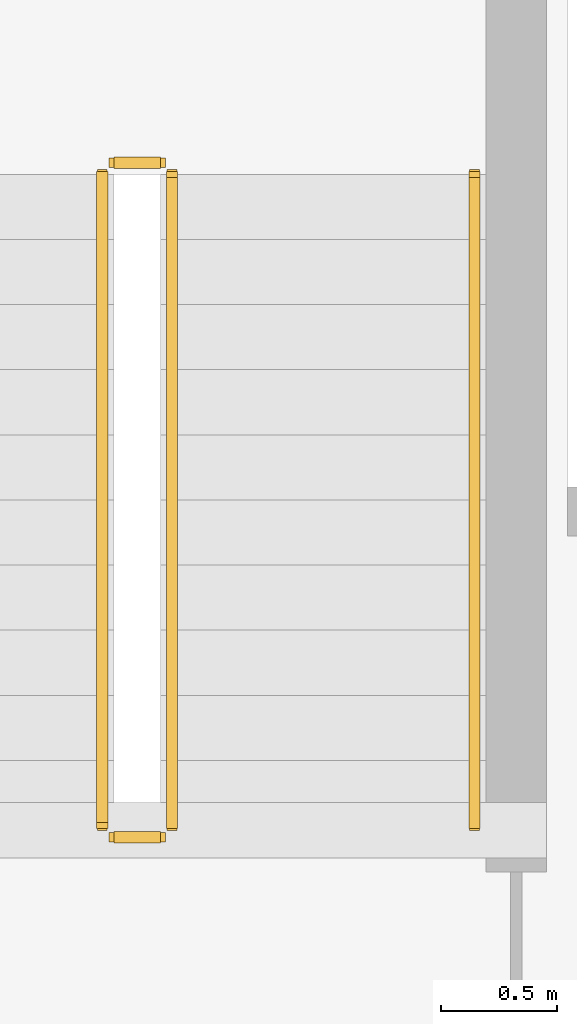
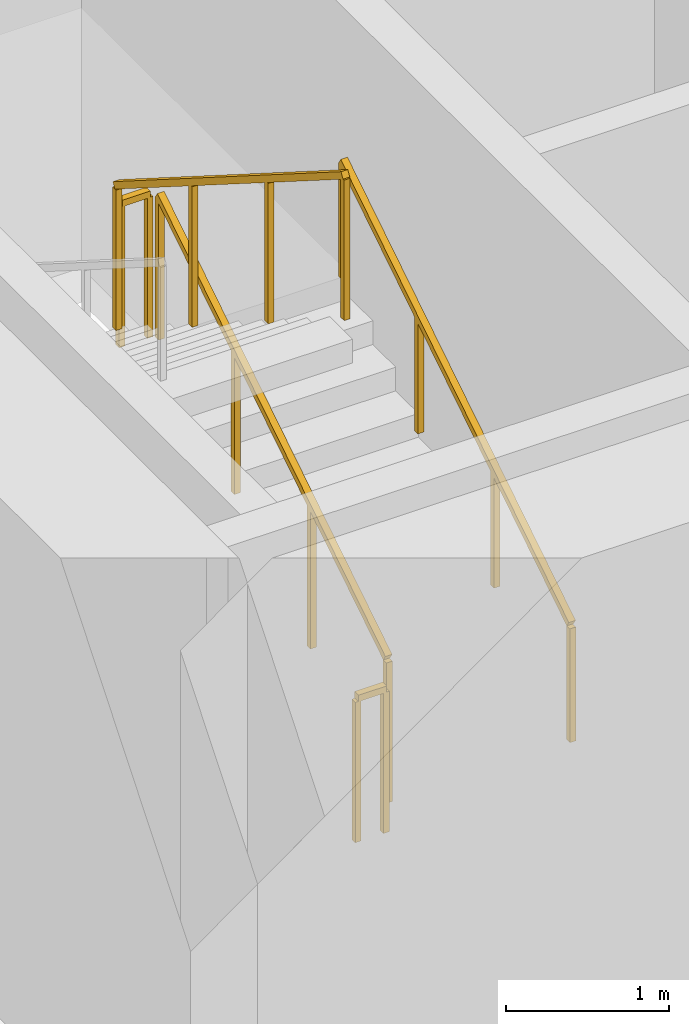
# One storey, part 27 of 29: 5 railings.
"""IFC4 building model written with IfcOpenShell, lengths in metres."""

from ifc_helpers import new_model, si_unit, direction, frame, origin, origin_2d, place, context, subcontext, project, spatial, rectangle, extrude, material, type_object, element, save


model = new_model("IFC4")

# Units and contexts
model_context = context("Model", 3, precision=1e-05, world=origin(), true_north=direction((0.0, 1.0)))
body_context = subcontext(model_context, "Body", "Model", "MODEL_VIEW")
ifc_project = project(units=[si_unit("LENGTHUNIT", "METRE"), si_unit("AREAUNIT", "SQUARE_METRE"), si_unit("VOLUMEUNIT", "CUBIC_METRE"), si_unit("PLANEANGLEUNIT", "RADIAN"), si_unit("MASSUNIT", "GRAM", prefix="KILO")], contexts=[model_context])

# Site, building, storey
site_placement = place(None, origin())
site = spatial("IfcSite", under=ifc_project, at=site_placement, CompositionType="ELEMENT")
building_placement = place(site_placement, origin())
building = spatial("IfcBuilding", under=site, at=building_placement, Name="Kiyonajd Concourse Tower", CompositionType="ELEMENT")
storey_placement = place(building_placement, frame((0.0, 0.0, 48.89990234375)))
storey = spatial("IfcBuildingStorey", under=building, at=storey_placement, Name="L13", CompositionType="ELEMENT", Elevation=48.89990234375)

# Railings
ifc_material_1 = material(Name="Steel ASTM A500 Grade C", Category="steel")
railing_type_1 = type_object("IfcRailingType", Name="RL-GRD-STR", PredefinedType="GUARDRAIL", material=ifc_material_1)
railing_1_placement = place(storey_placement, frame((35.5, 30.550048828125, 0.177490234375)))
element("IfcRailing", 1, at=railing_1_placement, inside=storey, type_object=railing_type_1, Name="L13 ST1 stair guard 1", PredefinedType="GUARDRAIL", context=body_context, shape_type="SweptSolid", body=[
    extrude(rectangle(XDim=0.048095703125, YDim=0.048095703125, at=origin_2d()), frame((0.0, 0.0, 1.076171875), z_axis=(0.0, 0.844908973607, 0.534910110503), x_axis=(-1.0, 0.0, 0.0)), (0.0, 0.0, 1.0), 3.31396484375),
    extrude(rectangle(XDim=0.0419921875, YDim=0.0419921875, at=origin_2d()), origin(), (0.0, 0.0, 1.0), 1.052001953125),
    extrude(rectangle(XDim=0.0419921875, YDim=0.0419921875, at=origin_2d()), frame((0.0, 0.933349609375, 0.5908203125)), (0.0, 0.0, 1.0), 1.052001953125),
    extrude(rectangle(XDim=0.0419921875, YDim=0.0419921875, at=origin_2d()), frame((0.0, 1.86669921875, 1.181884765625)), (0.0, 0.0, 1.0), 1.052001953125),
    extrude(rectangle(XDim=0.0419921875, YDim=0.0419921875, at=origin_2d()), frame((0.0, 2.800048828125, 1.772705078125)), (0.0, 0.0, 1.0), 1.052001953125),
])
railing_2_placement = place(storey_placement, frame((35.449951171875, 33.39990234375, 1.9501953125)))
element("IfcRailing", 2, at=railing_2_placement, inside=storey, type_object=railing_type_1, Name="L13 ST1 stair guard 2", PredefinedType="GUARDRAIL", context=body_context, shape_type="SweptSolid", body=[
    extrude(rectangle(XDim=0.048095703125, YDim=0.048095703125, at=origin_2d()), frame((0.0, 0.0, 1.076171875), z_axis=(-1.0, 0.0, 0.0), x_axis=(0.0, -1.0, 0.0)), (0.0, 0.0, 1.0), 0.199951171875),
    extrude(rectangle(XDim=0.0419921875, YDim=0.0419921875, at=origin_2d()), origin(), (0.0, 0.0, 1.0), 1.052001953125),
    extrude(rectangle(XDim=0.0419921875, YDim=0.0419921875, at=origin_2d()), frame((-0.199951171875, 0.0, 0.0)), (0.0, 0.0, 1.0), 1.052001953125),
])
railing_3_placement = place(storey_placement, frame((35.199951171875, 33.35009765625, 2.12744140625)))
element("IfcRailing", 3, at=railing_3_placement, inside=storey, type_object=railing_type_1, Name="L13 ST1 stair guard 3", PredefinedType="GUARDRAIL", context=body_context, shape_type="SweptSolid", body=[
    extrude(rectangle(XDim=0.048095703125, YDim=0.048095703125, at=origin_2d()), frame((0.0, 0.0, 1.076171875), z_axis=(0.0, -0.844908973607, 0.534910110503), x_axis=(1.0, 0.0, 0.0)), (0.0, 0.0, 1.0), 3.31396484375),
    extrude(rectangle(XDim=0.0419921875, YDim=0.0419921875, at=origin_2d()), origin(), (0.0, 0.0, 1.0), 1.052001953125),
    extrude(rectangle(XDim=0.0419921875, YDim=0.0419921875, at=origin_2d()), frame((0.0, -0.933349609375, 0.5908203125)), (0.0, 0.0, 1.0), 1.052001953125),
    extrude(rectangle(XDim=0.0419921875, YDim=0.0419921875, at=origin_2d()), frame((0.0, -1.86669921875, 1.181884765625)), (0.0, 0.0, 1.0), 1.052001953125),
    extrude(rectangle(XDim=0.0419921875, YDim=0.0419921875, at=origin_2d()), frame((0.0, -2.800048828125, 1.772705078125)), (0.0, 0.0, 1.0), 1.052001953125),
])
railing_4_placement = place(storey_placement, frame((35.449951171875, 30.5, 0.0)))
element("IfcRailing", 4, at=railing_4_placement, inside=storey, type_object=railing_type_1, Name="L13 ST1 stair guard 4", PredefinedType="GUARDRAIL", context=body_context, shape_type="SweptSolid", body=[
    extrude(rectangle(XDim=0.048095703125, YDim=0.048095703125, at=origin_2d()), frame((0.0, 0.0, 1.076171875), z_axis=(-1.0, 0.0, 0.0), x_axis=(0.0, -1.0, 0.0)), (0.0, 0.0, 1.0), 0.199951171875),
    extrude(rectangle(XDim=0.0419921875, YDim=0.0419921875, at=origin_2d()), origin(), (0.0, 0.0, 1.0), 1.052001953125),
    extrude(rectangle(XDim=0.0419921875, YDim=0.0419921875, at=origin_2d()), frame((-0.199951171875, 0.0, 0.0)), (0.0, 0.0, 1.0), 1.052001953125),
])
ifc_material_2 = material(Name="Brushed Stainless Steel Cab Assembly", Category="steel")
railing_type_2 = type_object("IfcRailingType", Name="RL-HND-900", PredefinedType="HANDRAIL", material=ifc_material_2)
railing_5_placement = place(storey_placement, frame((36.800048828125, 30.550048828125, 0.177490234375)))
element("IfcRailing", 5, at=railing_5_placement, inside=storey, type_object=railing_type_2, Name="L13 ST1 stair handrail 1", PredefinedType="HANDRAIL", context=body_context, shape_type="SweptSolid", body=[
    extrude(rectangle(XDim=0.048095703125, YDim=0.048095703125, at=origin_2d()), frame((0.0, 0.0, 0.8759765625), z_axis=(0.0, 0.844908973607, 0.534910110503), x_axis=(-1.0, 0.0, 0.0)), (0.0, 0.0, 1.0), 3.31396484375),
    extrude(rectangle(XDim=0.0419921875, YDim=0.0419921875, at=origin_2d()), origin(), (0.0, 0.0, 1.0), 0.851806640625),
    extrude(rectangle(XDim=0.0419921875, YDim=0.0419921875, at=origin_2d()), frame((0.0, 0.933349609375, 0.5908203125)), (0.0, 0.0, 1.0), 0.851806640625),
    extrude(rectangle(XDim=0.0419921875, YDim=0.0419921875, at=origin_2d()), frame((0.0, 1.86669921875, 1.181884765625)), (0.0, 0.0, 1.0), 0.851806640625),
    extrude(rectangle(XDim=0.0419921875, YDim=0.0419921875, at=origin_2d()), frame((0.0, 2.800048828125, 1.772705078125)), (0.0, 0.0, 1.0), 0.851806640625),
])

save(model, "model.ifc")
